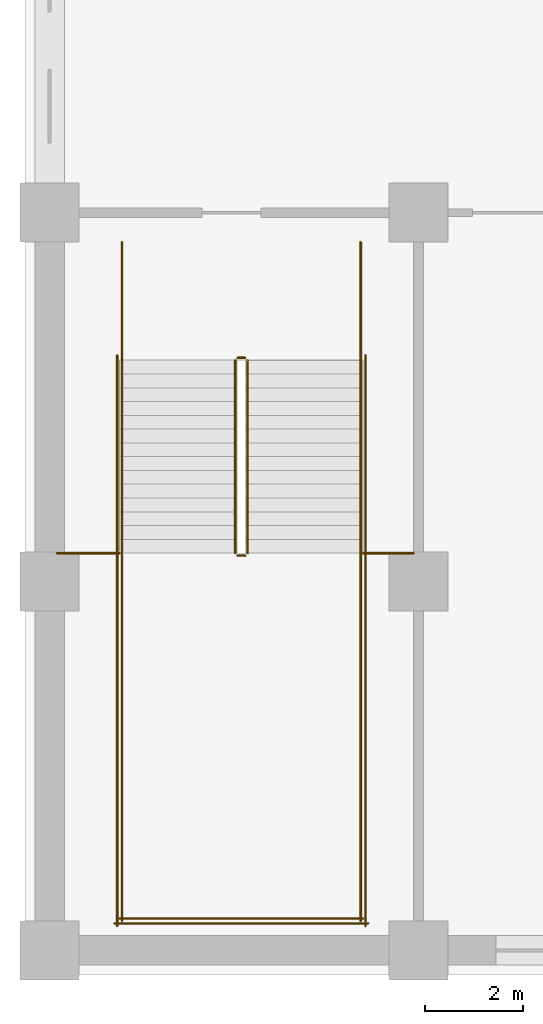
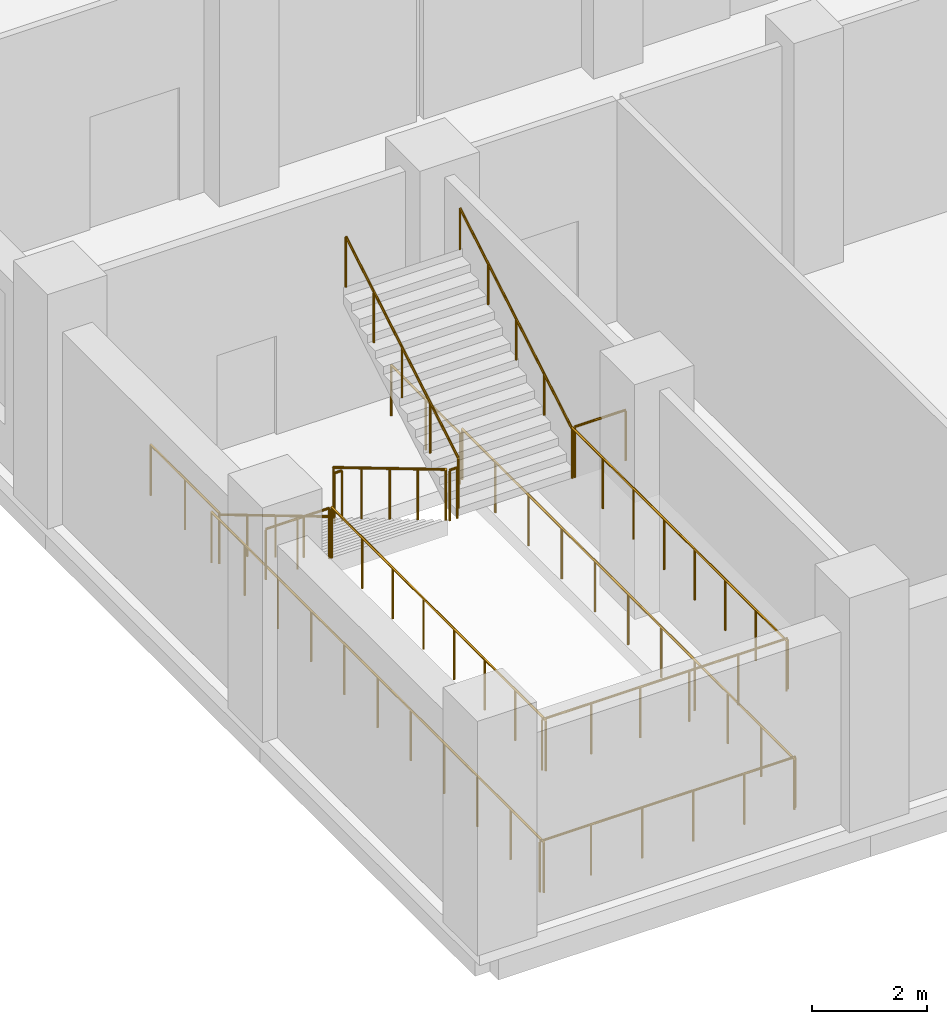
# One storey, part 21 of 32: 16 railings.
"""IFC4 building model written with IfcOpenShell, lengths in metres."""

from ifc_helpers import new_model, si_unit, direction, frame, origin, origin_2d, place, context, subcontext, project, spatial, circle, extrude, material, type_object, element, save


model = new_model("IFC4")

# Units and contexts
model_context = context("Model", 3, precision=1e-05, world=origin(), true_north=direction((0.0, 1.0)))
body_context = subcontext(model_context, "Body", "Model", "MODEL_VIEW")
ifc_project = project(units=[si_unit("LENGTHUNIT", "METRE"), si_unit("AREAUNIT", "SQUARE_METRE"), si_unit("VOLUMEUNIT", "CUBIC_METRE"), si_unit("PLANEANGLEUNIT", "RADIAN"), si_unit("MASSUNIT", "GRAM", prefix="KILO")], contexts=[model_context])

# Site, building, storey
site_placement = place(None, origin())
site = spatial("IfcSite", under=ifc_project, at=site_placement, CompositionType="ELEMENT")
building_placement = place(site_placement, origin())
building = spatial("IfcBuilding", under=site, at=building_placement, Name="Tamorin Gate", CompositionType="ELEMENT")
storey_placement = place(building_placement, frame((0.0, 0.0, 18.5)))
storey = spatial("IfcBuildingStorey", under=building, at=storey_placement, Name="L03", CompositionType="ELEMENT", Elevation=18.5)

# Railings
ifc_material = material(Name="Steel", Category="steel")
railing_type_1 = type_object("IfcRailingType", Name="Podium guard 1100", PredefinedType="GUARDRAIL", material=ifc_material)
railing_1_placement = place(storey_placement, frame((19.27490234375, 42.5, 0.166748046875)))
element("IfcRailing", 1, at=railing_1_placement, inside=storey, type_object=railing_type_1, Name="L03 PS1 stair guard 1", PredefinedType="GUARDRAIL", context=body_context, shape_type="SweptSolid", body=[
    extrude(circle(Radius=0.02392578125, at=origin_2d()), frame((0.0, 0.0, 1.076171875), z_axis=(0.0, -0.859296244711, 0.511478214419), x_axis=(1.0, 0.0, 0.0)), (0.0, 0.0, 1.0), 4.561767578125),
    extrude(circle(Radius=0.02099609375, at=origin_2d()), origin(), (0.0, 0.0, 1.0), 1.052001953125),
    extrude(circle(Radius=0.02099609375, at=origin_2d()), frame((0.0, -0.97998046875, 0.583251953125)), (0.0, 0.0, 1.0), 1.052001953125),
    extrude(circle(Radius=0.02099609375, at=origin_2d()), frame((0.0, -1.9599609375, 1.16650390625)), (0.0, 0.0, 1.0), 1.052001953125),
    extrude(circle(Radius=0.02099609375, at=origin_2d()), frame((0.0, -2.93994140625, 1.75)), (0.0, 0.0, 1.0), 1.052001953125),
    extrude(circle(Radius=0.02099609375, at=origin_2d()), frame((0.0, -3.919921875, 2.333251953125)), (0.0, 0.0, 1.0), 1.052001953125),
])
railing_2_placement = place(storey_placement, frame((19.324951171875, 38.530029296875, 2.5)))
element("IfcRailing", 2, at=railing_2_placement, inside=storey, type_object=railing_type_1, Name="L03 PS1 stair guard 2", PredefinedType="GUARDRAIL", context=body_context, shape_type="SweptSolid", body=[
    extrude(circle(Radius=0.02392578125, at=origin_2d()), frame((0.0, 0.0, 1.076171875), z_axis=(1.0, 0.0, 0.0), x_axis=(0.0, 1.0, 0.0)), (0.0, 0.0, 1.0), 0.150146484375),
    extrude(circle(Radius=0.02099609375, at=origin_2d()), origin(), (0.0, 0.0, 1.0), 1.052001953125),
    extrude(circle(Radius=0.02099609375, at=origin_2d()), frame((0.150146484375, 0.0, 0.0)), (0.0, 0.0, 1.0), 1.052001953125),
])
for number, where, name in (
    (3, (16.97509765625, 38.580078125, 2.5), "L03 PS1 stair guard 3"),
    (4, (21.824951171875, 38.580078125, 2.5), "L03 PS1 stair guard 4"),
):
    element("IfcRailing", number, at=place(storey_placement, frame(where)), inside=storey, type_object=railing_type_1, Name=name, PredefinedType="GUARDRAIL", context=body_context, shape_type="SweptSolid", body=[
        extrude(circle(Radius=0.02392578125, at=origin_2d()), frame((0.0, 0.0, 1.076171875), z_axis=(0.0, -1.0, 0.0), x_axis=(1.0, 0.0, 0.0)), (0.0, 0.0, 1.0), 7.47998046875),
        extrude(circle(Radius=0.02099609375, at=origin_2d()), origin(), (0.0, 0.0, 1.0), 1.052001953125),
        extrude(circle(Radius=0.02099609375, at=origin_2d()), frame((0.0, -1.068603515625, 0.0)), (0.0, 0.0, 1.0), 1.052001953125),
        extrude(circle(Radius=0.02099609375, at=origin_2d()), frame((0.0, -2.13720703125, 0.0)), (0.0, 0.0, 1.0), 1.052001953125),
        extrude(circle(Radius=0.02099609375, at=origin_2d()), frame((0.0, -3.205810546875, 0.0)), (0.0, 0.0, 1.0), 1.052001953125),
        extrude(circle(Radius=0.02099609375, at=origin_2d()), frame((0.0, -4.274169921875, 0.0)), (0.0, 0.0, 1.0), 1.052001953125),
        extrude(circle(Radius=0.02099609375, at=origin_2d()), frame((0.0, -5.3427734375, 0.0)), (0.0, 0.0, 1.0), 1.052001953125),
        extrude(circle(Radius=0.02099609375, at=origin_2d()), frame((0.0, -6.411376953125, 0.0)), (0.0, 0.0, 1.0), 1.052001953125),
        extrude(circle(Radius=0.02099609375, at=origin_2d()), frame((0.0, -7.47998046875, 0.0)), (0.0, 0.0, 1.0), 1.052001953125),
    ])
railing_3_placement = place(storey_placement, frame((16.925048828125, 31.14990234375, 2.5)))
element("IfcRailing", 5, at=railing_3_placement, inside=storey, type_object=railing_type_1, Name="L03 PS1 stair guard 5", PredefinedType="GUARDRAIL", context=body_context, shape_type="SweptSolid", body=[
    extrude(circle(Radius=0.02392578125, at=origin_2d()), frame((0.0, 0.0, 1.076171875), z_axis=(1.0, 0.0, 0.0), x_axis=(0.0, 1.0, 0.0)), (0.0, 0.0, 1.0), 4.949951171875),
    extrude(circle(Radius=0.02099609375, at=origin_2d()), origin(), (0.0, 0.0, 1.0), 1.052001953125),
    extrude(circle(Radius=0.02099609375, at=origin_2d()), frame((0.989990234375, 0.0, 0.0)), (0.0, 0.0, 1.0), 1.052001953125),
    extrude(circle(Radius=0.02099609375, at=origin_2d()), frame((1.97998046875, 0.0, 0.0)), (0.0, 0.0, 1.0), 1.052001953125),
    extrude(circle(Radius=0.02099609375, at=origin_2d()), frame((2.969970703125, 0.0, 0.0)), (0.0, 0.0, 1.0), 1.052001953125),
    extrude(circle(Radius=0.02099609375, at=origin_2d()), frame((3.9599609375, 0.0, 0.0)), (0.0, 0.0, 1.0), 1.052001953125),
    extrude(circle(Radius=0.02099609375, at=origin_2d()), frame((4.949951171875, 0.0, 0.0)), (0.0, 0.0, 1.0), 1.052001953125),
])
railing_4_placement = place(storey_placement, frame((19.52490234375, 38.580078125, 2.666748046875)))
element("IfcRailing", 6, at=railing_4_placement, inside=storey, type_object=railing_type_1, Name="L03 PS1 stair guard 6", PredefinedType="GUARDRAIL", context=body_context, shape_type="SweptSolid", body=[
    extrude(circle(Radius=0.02392578125, at=origin_2d()), frame((0.0, 0.0, 1.076171875), z_axis=(0.0, 0.859296244711, 0.511478214419), x_axis=(-1.0, 0.0, 0.0)), (0.0, 0.0, 1.0), 4.561767578125),
    extrude(circle(Radius=0.02099609375, at=origin_2d()), origin(), (0.0, 0.0, 1.0), 1.052001953125),
    extrude(circle(Radius=0.02099609375, at=origin_2d()), frame((0.0, 0.97998046875, 0.583251953125)), (0.0, 0.0, 1.0), 1.052001953125),
    extrude(circle(Radius=0.02099609375, at=origin_2d()), frame((0.0, 1.9599609375, 1.16650390625)), (0.0, 0.0, 1.0), 1.052001953125),
    extrude(circle(Radius=0.02099609375, at=origin_2d()), frame((0.0, 2.93994140625, 1.75)), (0.0, 0.0, 1.0), 1.052001953125),
    extrude(circle(Radius=0.02099609375, at=origin_2d()), frame((0.0, 3.919921875, 2.333251953125)), (0.0, 0.0, 1.0), 1.052001953125),
])
railing_5_placement = place(storey_placement, frame((19.324951171875, 42.550048828125, 0.0)))
element("IfcRailing", 7, at=railing_5_placement, inside=storey, type_object=railing_type_1, Name="L03 PS1 stair guard 7", PredefinedType="GUARDRAIL", context=body_context, shape_type="SweptSolid", body=[
    extrude(circle(Radius=0.02392578125, at=origin_2d()), frame((0.0, 0.0, 1.076171875), z_axis=(1.0, 0.0, 0.0), x_axis=(0.0, 1.0, 0.0)), (0.0, 0.0, 1.0), 0.150146484375),
    extrude(circle(Radius=0.02099609375, at=origin_2d()), origin(), (0.0, 0.0, 1.0), 1.052001953125),
    extrude(circle(Radius=0.02099609375, at=origin_2d()), frame((0.150146484375, 0.0, 0.0)), (0.0, 0.0, 1.0), 1.052001953125),
])
for number, where, name in (
    (8, (16.97509765625, 44.89990234375, 0.0), "L03 PS1 stair guard 8"),
    (9, (21.824951171875, 44.89990234375, 0.0), "L03 PS1 stair guard 9"),
):
    element("IfcRailing", number, at=place(storey_placement, frame(where)), inside=storey, type_object=railing_type_1, Name=name, PredefinedType="GUARDRAIL", context=body_context, shape_type="SweptSolid", body=[
        extrude(circle(Radius=0.02392578125, at=origin_2d()), frame((0.0, 0.0, 1.076171875), z_axis=(0.0, -1.0, 0.0), x_axis=(1.0, 0.0, 0.0)), (0.0, 0.0, 1.0), 2.39990234375),
        extrude(circle(Radius=0.02099609375, at=origin_2d()), origin(), (0.0, 0.0, 1.0), 1.052001953125),
        extrude(circle(Radius=0.02099609375, at=origin_2d()), frame((0.0, -1.199951171875, 0.0)), (0.0, 0.0, 1.0), 1.052001953125),
        extrude(circle(Radius=0.02099609375, at=origin_2d()), frame((0.0, -2.39990234375, 0.0)), (0.0, 0.0, 1.0), 1.052001953125),
    ])
for number, where, name in (
    (10, (16.875, 42.60009765625, 0.0), "L03 PS1 stair guard 10"),
    (11, (21.925048828125, 42.60009765625, 0.0), "L03 PS1 stair guard 11"),
):
    element("IfcRailing", number, at=place(storey_placement, frame(where)), inside=storey, type_object=railing_type_1, Name=name, PredefinedType="GUARDRAIL", context=body_context, shape_type="SweptSolid", body=[
        extrude(circle(Radius=0.02392578125, at=origin_2d()), frame((0.0, 0.0, 1.076171875), z_axis=(0.0, -1.0, 0.0), x_axis=(1.0, 0.0, 0.0)), (0.0, 0.0, 1.0), 11.60009765625),
        extrude(circle(Radius=0.02099609375, at=origin_2d()), origin(), (0.0, 0.0, 1.0), 1.052001953125),
        extrude(circle(Radius=0.02099609375, at=origin_2d()), frame((0.0, -1.159912109375, 0.0)), (0.0, 0.0, 1.0), 1.052001953125),
        extrude(circle(Radius=0.02099609375, at=origin_2d()), frame((0.0, -2.320068359375, 0.0)), (0.0, 0.0, 1.0), 1.052001953125),
        extrude(circle(Radius=0.02099609375, at=origin_2d()), frame((0.0, -3.47998046875, 0.0)), (0.0, 0.0, 1.0), 1.052001953125),
        extrude(circle(Radius=0.02099609375, at=origin_2d()), frame((0.0, -4.64013671875, 0.0)), (0.0, 0.0, 1.0), 1.052001953125),
        extrude(circle(Radius=0.02099609375, at=origin_2d()), frame((0.0, -5.800048828125, 0.0)), (0.0, 0.0, 1.0), 1.052001953125),
        extrude(circle(Radius=0.02099609375, at=origin_2d()), frame((0.0, -6.9599609375, 0.0)), (0.0, 0.0, 1.0), 1.052001953125),
        extrude(circle(Radius=0.02099609375, at=origin_2d()), frame((0.0, -8.1201171875, 0.0)), (0.0, 0.0, 1.0), 1.052001953125),
        extrude(circle(Radius=0.02099609375, at=origin_2d()), frame((0.0, -9.280029296875, 0.0)), (0.0, 0.0, 1.0), 1.052001953125),
        extrude(circle(Radius=0.02099609375, at=origin_2d()), frame((0.0, -10.440185546875, 0.0)), (0.0, 0.0, 1.0), 1.052001953125),
        extrude(circle(Radius=0.02099609375, at=origin_2d()), frame((0.0, -11.60009765625, 0.0)), (0.0, 0.0, 1.0), 1.052001953125),
    ])
railing_6_placement = place(storey_placement, frame((16.824951171875, 31.050048828125, 0.0)))
element("IfcRailing", 12, at=railing_6_placement, inside=storey, type_object=railing_type_1, Name="L03 PS1 stair guard 12", PredefinedType="GUARDRAIL", context=body_context, shape_type="SweptSolid", body=[
    extrude(circle(Radius=0.02392578125, at=origin_2d()), frame((0.0, 0.0, 1.076171875), z_axis=(1.0, 0.0, 0.0), x_axis=(0.0, 1.0, 0.0)), (0.0, 0.0, 1.0), 5.150146484375),
    extrude(circle(Radius=0.02099609375, at=origin_2d()), origin(), (0.0, 0.0, 1.0), 1.052001953125),
    extrude(circle(Radius=0.02099609375, at=origin_2d()), frame((1.030029296875, 0.0, 0.0)), (0.0, 0.0, 1.0), 1.052001953125),
    extrude(circle(Radius=0.02099609375, at=origin_2d()), frame((2.06005859375, 0.0, 0.0)), (0.0, 0.0, 1.0), 1.052001953125),
    extrude(circle(Radius=0.02099609375, at=origin_2d()), frame((3.090087890625, 0.0, 0.0)), (0.0, 0.0, 1.0), 1.052001953125),
    extrude(circle(Radius=0.02099609375, at=origin_2d()), frame((4.1201171875, 0.0, 0.0)), (0.0, 0.0, 1.0), 1.052001953125),
    extrude(circle(Radius=0.02099609375, at=origin_2d()), frame((5.150146484375, 0.0, 0.0)), (0.0, 0.0, 1.0), 1.052001953125),
])
railing_7_placement = place(storey_placement, frame((15.64990234375, 38.580078125, 2.5)))
element("IfcRailing", 13, at=railing_7_placement, inside=storey, type_object=railing_type_1, Name="Landing edge guard", PredefinedType="GUARDRAIL", context=body_context, shape_type="SweptSolid", body=[
    extrude(circle(Radius=0.02392578125, at=origin_2d()), frame((0.0, 0.0, 1.076171875), z_axis=(1.0, 0.0, 0.0), x_axis=(0.0, 1.0, 0.0)), (0.0, 0.0, 1.0), 1.275146484375),
    extrude(circle(Radius=0.02099609375, at=origin_2d()), origin(), (0.0, 0.0, 1.0), 1.052001953125),
    extrude(circle(Radius=0.02099609375, at=origin_2d()), frame((0.6376953125, 0.0, 0.0)), (0.0, 0.0, 1.0), 1.052001953125),
    extrude(circle(Radius=0.02099609375, at=origin_2d()), frame((1.275146484375, 0.0, 0.0)), (0.0, 0.0, 1.0), 1.052001953125),
])
railing_8_placement = place(storey_placement, frame((21.875, 38.580078125, 2.5)))
element("IfcRailing", 14, at=railing_8_placement, inside=storey, type_object=railing_type_1, Name="Landing edge guard", PredefinedType="GUARDRAIL", context=body_context, shape_type="SweptSolid", body=[
    extrude(circle(Radius=0.02392578125, at=origin_2d()), frame((0.0, 0.0, 1.076171875), z_axis=(1.0, 0.0, 0.0), x_axis=(0.0, 1.0, 0.0)), (0.0, 0.0, 1.0), 1.02490234375),
    extrude(circle(Radius=0.02099609375, at=origin_2d()), origin(), (0.0, 0.0, 1.0), 1.052001953125),
    extrude(circle(Radius=0.02099609375, at=origin_2d()), frame((1.02490234375, 0.0, 0.0)), (0.0, 0.0, 1.0), 1.052001953125),
])
railing_type_2 = type_object("IfcRailingType", Name="Podium stair handrail 900", PredefinedType="HANDRAIL", material=ifc_material)
railing_9_placement = place(storey_placement, frame((16.97509765625, 42.5, 0.166748046875)))
element("IfcRailing", 15, at=railing_9_placement, inside=storey, type_object=railing_type_2, Name="L03 PS1 stair handrail 1", PredefinedType="HANDRAIL", context=body_context, shape_type="SweptSolid", body=[
    extrude(circle(Radius=0.02392578125, at=origin_2d()), frame((0.0, 0.0, 0.8759765625), z_axis=(0.0, -0.859296244711, 0.511478214419), x_axis=(1.0, 0.0, 0.0)), (0.0, 0.0, 1.0), 4.561767578125),
    extrude(circle(Radius=0.02099609375, at=origin_2d()), origin(), (0.0, 0.0, 1.0), 0.851806640625),
    extrude(circle(Radius=0.02099609375, at=origin_2d()), frame((0.0, -0.97998046875, 0.583251953125)), (0.0, 0.0, 1.0), 0.851806640625),
    extrude(circle(Radius=0.02099609375, at=origin_2d()), frame((0.0, -1.9599609375, 1.16650390625)), (0.0, 0.0, 1.0), 0.851806640625),
    extrude(circle(Radius=0.02099609375, at=origin_2d()), frame((0.0, -2.93994140625, 1.75)), (0.0, 0.0, 1.0), 0.851806640625),
    extrude(circle(Radius=0.02099609375, at=origin_2d()), frame((0.0, -3.919921875, 2.333251953125)), (0.0, 0.0, 1.0), 0.851806640625),
])
railing_10_placement = place(storey_placement, frame((21.824951171875, 38.580078125, 2.666748046875)))
element("IfcRailing", 16, at=railing_10_placement, inside=storey, type_object=railing_type_2, Name="L03 PS1 stair handrail 2", PredefinedType="HANDRAIL", context=body_context, shape_type="SweptSolid", body=[
    extrude(circle(Radius=0.02392578125, at=origin_2d()), frame((0.0, 0.0, 0.8759765625), z_axis=(0.0, 0.859296244711, 0.511478214419), x_axis=(-1.0, 0.0, 0.0)), (0.0, 0.0, 1.0), 4.561767578125),
    extrude(circle(Radius=0.02099609375, at=origin_2d()), origin(), (0.0, 0.0, 1.0), 0.851806640625),
    extrude(circle(Radius=0.02099609375, at=origin_2d()), frame((0.0, 0.97998046875, 0.583251953125)), (0.0, 0.0, 1.0), 0.851806640625),
    extrude(circle(Radius=0.02099609375, at=origin_2d()), frame((0.0, 1.9599609375, 1.16650390625)), (0.0, 0.0, 1.0), 0.851806640625),
    extrude(circle(Radius=0.02099609375, at=origin_2d()), frame((0.0, 2.93994140625, 1.75)), (0.0, 0.0, 1.0), 0.851806640625),
    extrude(circle(Radius=0.02099609375, at=origin_2d()), frame((0.0, 3.919921875, 2.333251953125)), (0.0, 0.0, 1.0), 0.851806640625),
])

save(model, "model.ifc")
